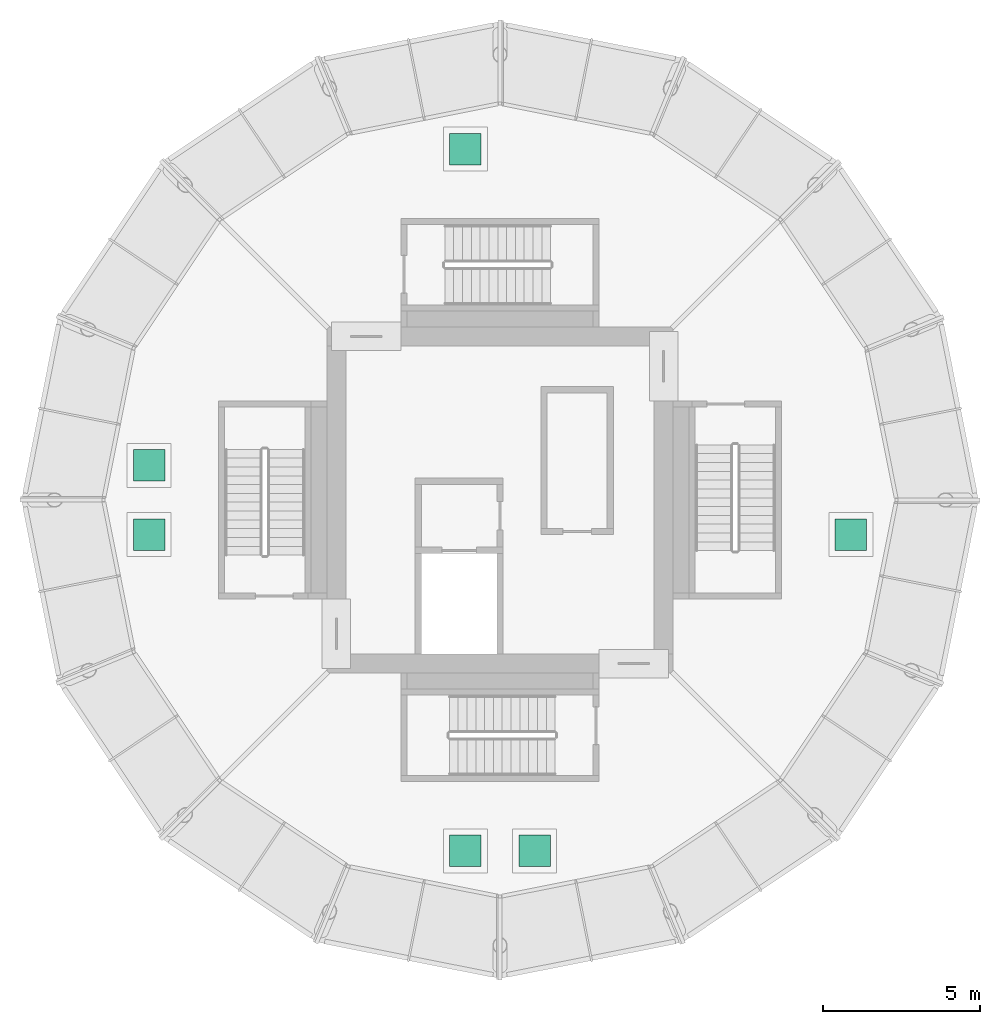
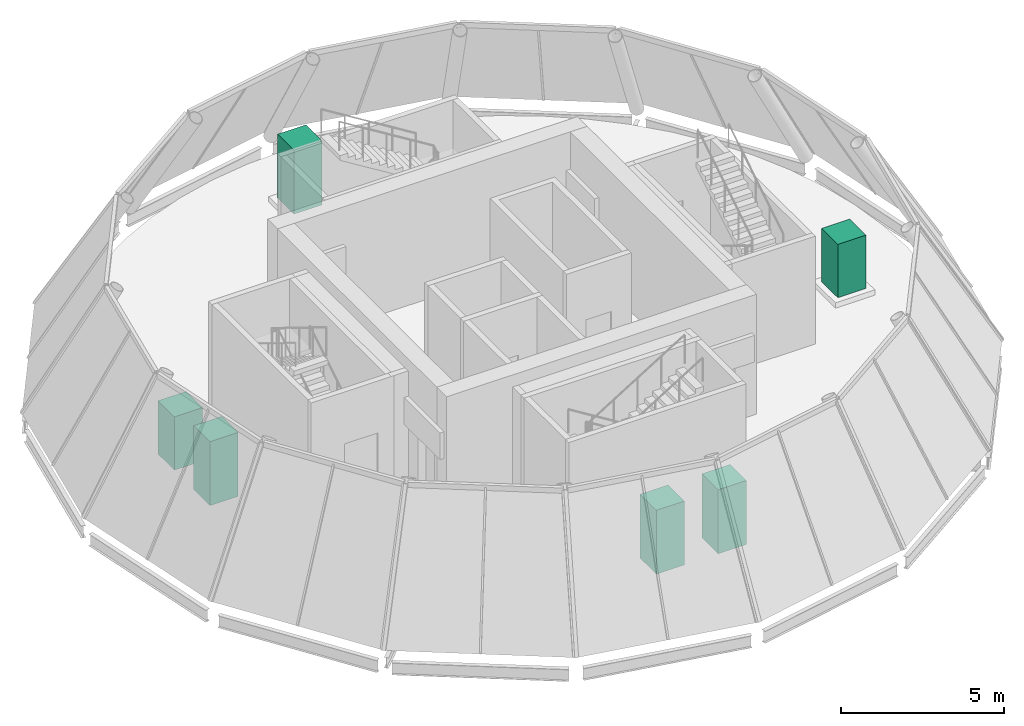
# One storey, part 6 of 6: 3 unitary equipment elements, 2 tanks, 1 electric motor.
"""IFC4 building model written with IfcOpenShell, lengths in metres."""

from ifc_helpers import new_model, si_unit, direction, frame, origin, origin_2d, place, context, subcontext, project, spatial, rectangle, extrude, element, save


model = new_model("IFC4")

# Units and contexts
model_context = context("Model", 3, precision=1e-05, world=origin(), true_north=direction((0.0, 1.0)))
body_context = subcontext(model_context, "Body", "Model", "MODEL_VIEW")
ifc_project = project(units=[si_unit("LENGTHUNIT", "METRE"), si_unit("AREAUNIT", "SQUARE_METRE"), si_unit("VOLUMEUNIT", "CUBIC_METRE"), si_unit("PLANEANGLEUNIT", "RADIAN"), si_unit("MASSUNIT", "GRAM", prefix="KILO")], contexts=[model_context])

# Site, building, storey
site_placement = place(None, origin())
site = spatial("IfcSite", under=ifc_project, at=site_placement, CompositionType="ELEMENT")
building_placement = place(site_placement, origin())
building = spatial("IfcBuilding", under=site, at=building_placement, Name="Corvane Civic Tower", CompositionType="ELEMENT")
storey_placement = place(building_placement, frame((0.0, 0.0, 397.5)))
storey = spatial("IfcBuildingStorey", under=building, at=storey_placement, Name="L94", CompositionType="ELEMENT", Elevation=397.5)

# Unitary equipment
unitary_equipment_placement = place(storey_placement, frame((-1.097900390625, 11.14599609375, 0.199951171875), z_axis=(0.0, 0.0, 1.0), x_axis=(1.0, 0.0, 0.0)))
element("IfcUnitaryEquipment", 1, at=unitary_equipment_placement, inside=storey, Name="Air handler L94-01", PredefinedType="AIRHANDLER", context=body_context, shape_type="SweptSolid", body=[
    extrude(rectangle(XDim=1.0, YDim=1.0, at=origin_2d()), origin(), (0.0, 0.0, 1.0), 2.39990234375),
])

# Tank
tank_1_placement = place(storey_placement, frame((-11.14599609375, 1.097900390625, 0.199951171875), z_axis=(0.0, 0.0, 1.0), x_axis=(1.0, 0.0, 0.0)))
element("IfcTank", 2, at=tank_1_placement, inside=storey, Name="Water tank L94-02", PredefinedType="STORAGE", context=body_context, shape_type="SweptSolid", body=[
    extrude(rectangle(XDim=1.0, YDim=1.0, at=origin_2d()), origin(), (0.0, 0.0, 1.0), 2.0),
])

# Electric motor
electric_motor_placement = place(storey_placement, frame((-11.14599609375, -1.097900390625, 0.199951171875), z_axis=(0.0, 0.0, 1.0), x_axis=(1.0, 0.0, 0.0)))
element("IfcElectricMotor", 3, at=electric_motor_placement, inside=storey, Name="Lift machine room L94-03", PredefinedType="SYNCHRONOUS", context=body_context, shape_type="SweptSolid", body=[
    extrude(rectangle(XDim=1.0, YDim=1.0, at=origin_2d()), origin(), (0.0, 0.0, 1.0), 2.39990234375),
])

# Unitary equipment
for number, where, z_axis, x_axis, name in (
    (4, (-1.097900390625, -11.14599609375, 0.199951171875), (0.0, 0.0, 1.0), (1.0, 0.0, 0.0), "Air handler L94-04"),
    (5, (1.097900390625, -11.14599609375, 0.199951171875), (0.0, 0.0, 1.0), (1.0, 0.0, 0.0), "Air handler L94-05"),
):
    element("IfcUnitaryEquipment", number, at=place(storey_placement, frame(where, z_axis=z_axis, x_axis=x_axis)), inside=storey, Name=name, PredefinedType="AIRHANDLER", context=body_context, shape_type="SweptSolid", body=[
        extrude(rectangle(XDim=1.0, YDim=1.0, at=origin_2d()), origin(), (0.0, 0.0, 1.0), 2.39990234375),
    ])

# Tank
tank_2_placement = place(storey_placement, frame((11.14599609375, -1.097900390625, 0.199951171875), z_axis=(0.0, 0.0, 1.0), x_axis=(1.0, 0.0, 0.0)))
element("IfcTank", 6, at=tank_2_placement, inside=storey, Name="Water tank L94-06", PredefinedType="STORAGE", context=body_context, shape_type="SweptSolid", body=[
    extrude(rectangle(XDim=1.0, YDim=1.0, at=origin_2d()), origin(), (0.0, 0.0, 1.0), 2.0),
])

save(model, "model.ifc")
